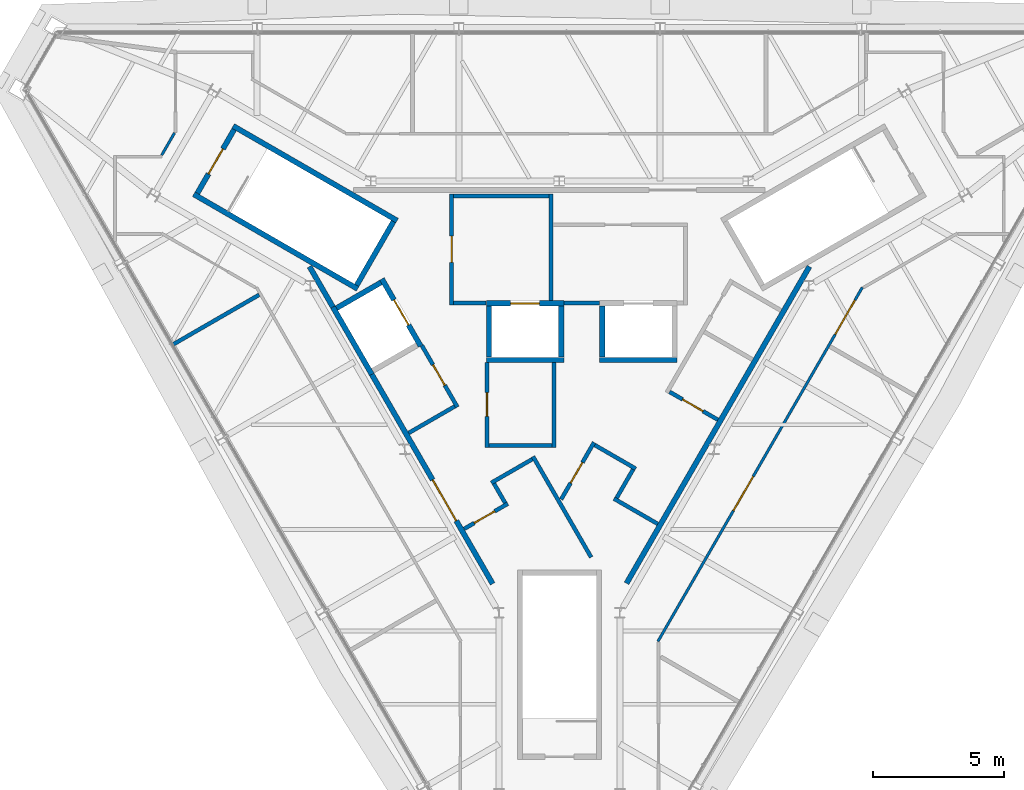
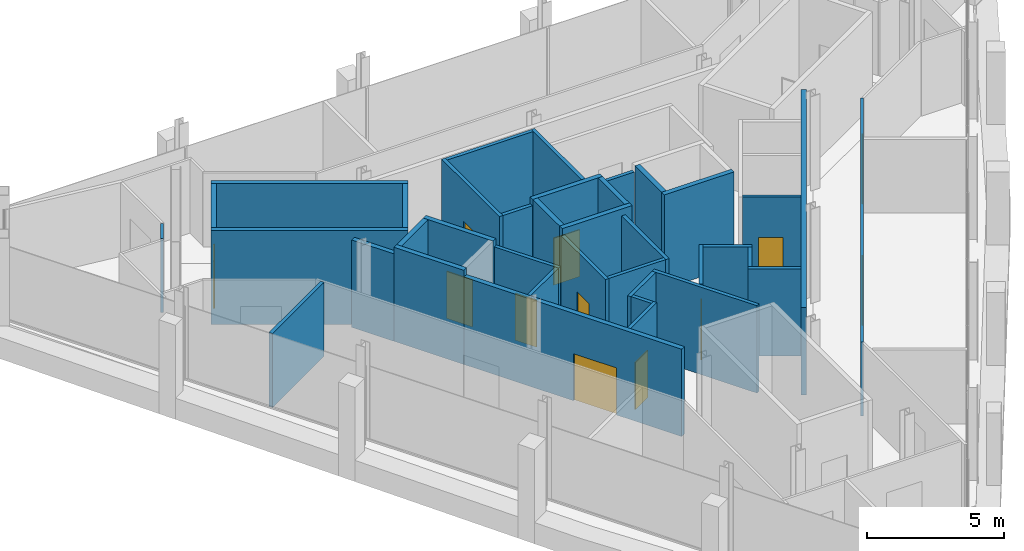
# One storey, part 9 of 11: 38 walls, 12 doors, 12 openings.
"""IFC4 building model written with IfcOpenShell, lengths in metres."""

from ifc_helpers import new_model, si_unit, direction, frame, frame_2d, origin, place, context, subcontext, project, spatial, rectangle, extrude, material, layer, layer_set, type_object, element, fill, save


model = new_model("IFC4")

# Units and contexts
model_context = context("Model", 3, precision=1e-05, world=origin(), true_north=direction((0.0, 1.0)))
body_context = subcontext(model_context, "Body", "Model", "MODEL_VIEW")
ifc_project = project(units=[si_unit("LENGTHUNIT", "METRE"), si_unit("AREAUNIT", "SQUARE_METRE"), si_unit("VOLUMEUNIT", "CUBIC_METRE"), si_unit("PLANEANGLEUNIT", "RADIAN"), si_unit("MASSUNIT", "GRAM", prefix="KILO")], contexts=[model_context])

# Site, building, storey
site_placement = place(None, origin())
site = spatial("IfcSite", under=ifc_project, at=site_placement, CompositionType="ELEMENT")
building_placement = place(site_placement, origin())
building = spatial("IfcBuilding", under=site, at=building_placement, Name="Verrane Prism Tower", CompositionType="ELEMENT")
storey_placement = place(building_placement, frame((0.0, 0.0, 329.39990234375)))
storey = spatial("IfcBuildingStorey", under=building, at=storey_placement, Name="L83", CompositionType="ELEMENT", Elevation=329.39990234375)

# Wall
ifc_material_1 = material(Name="Gypsum board partition", Category="other")
ifc_layer_1 = layer(ifc_material_1, 0.199951171875)
ifc_layer_set_1 = layer_set([ifc_layer_1], Name="CW-200 core boundary wall 2 h")
wall_type_1 = type_object("IfcWallType", Name="CW-200 core boundary wall 2 h", PredefinedType="PARTITIONING", material=ifc_layer_set_1)
wall_1_placement = place(storey_placement, frame((-9.509033203125, 3.550537109375, 0.0), z_axis=(0.0, 0.0, 1.0), x_axis=(0.499999136801, -0.866025902152, 0.0)))
element("IfcWall", 1, at=wall_1_placement, inside=storey, type_object=wall_type_1, Name="Core boundary wall CW3-001", PredefinedType="PARTITIONING", context=body_context, shape_type="SweptSolid", body=[
    extrude(rectangle(XDim=1.7822265625, YDim=0.199951171875, at=frame_2d((0.89111328125, 0.0))), origin(), (0.0, 0.0, 1.0), 3.900146484375),
])

# Wall, opening, door
wall_2_placement = place(storey_placement, frame((-7.14111328125, -0.551025390625, 0.0), z_axis=(0.0, 0.0, 1.0), x_axis=(0.499992795234, -0.866029563418, 0.0)))
wall_2 = element("IfcWall", 2, at=wall_2_placement, inside=storey, type_object=wall_type_1, Name="Core boundary wall CW3-003", PredefinedType="PARTITIONING", context=body_context, shape_type="SweptSolid", body=[
    extrude(rectangle(XDim=9.198486328125, YDim=0.199951171875, at=frame_2d((4.59912109375, 0.0))), origin(), (0.0, 0.0, 1.0), 3.900146484375),
])
opening_1_placement = place(wall_2_placement, frame((4.634033203125, 0.0, 0.0)))
opening_1 = element("IfcOpeningElement", 3, at=opening_1_placement, cuts=wall_2, Name="Opening D83507", PredefinedType="OPENING", context=body_context, shape_type="SweptSolid", body=[
    extrude(rectangle(XDim=1.800048828125, YDim=2.10009765625, at=frame_2d((0.89990234375, 1.050048828125))), frame((0.0, 0.10986328125, 0.0), z_axis=(0.0, -1.0, 0.0), x_axis=(1.0, 0.0, 0.0)), (0.0, 0.0, 1.0), 0.219970703125),
])
ifc_material_2 = material(Name="Timber veneered door leaf", Category="wood")
door_type_1 = type_object("IfcDoorType", Name="DR-1800x2100 FD60 double leaf lift lobby", OperationType="NOTDEFINED", PredefinedType="DOOR", material=ifc_material_2)
door_1_placement = place(opening_1_placement, origin())
door_1 = element("IfcDoor", 4, at=door_1_placement, inside=storey, type_object=door_type_1, Name="Lift lobby door D83507", OperationType="DOUBLE_DOOR_SINGLE_SWING", OverallHeight=2.10009765625, OverallWidth=1.800048828125, PredefinedType="DOOR", context=body_context, shape_type="SweptSolid", body=[
    extrude(rectangle(XDim=1.800048828125, YDim=2.10009765625, at=frame_2d((0.89990234375, 1.050048828125))), frame((0.0, 0.02490234375, 0.0), z_axis=(0.0, -1.0, 0.0), x_axis=(1.0, 0.0, 0.0)), (0.0, 0.0, 1.0), 0.050048828125),
])
fill(opening_1, door_1)

# Wall
wall_3_placement = place(storey_placement, frame((2.552001953125, -8.5, 0.0), z_axis=(0.0, 0.0, 1.0), x_axis=(0.499981156672, 0.866036282712, 0.0)))
element("IfcWall", 5, at=wall_3_placement, inside=storey, type_object=wall_type_1, Name="Core boundary wall CW3-004", PredefinedType="PARTITIONING", context=body_context, shape_type="SweptSolid", body=[
    extrude(rectangle(XDim=13.91455078125, YDim=0.199951171875, at=frame_2d((6.957275390625, 0.0))), origin(), (0.0, 0.0, 1.0), 3.900146484375),
])

# Wall, opening, door
ifc_material_3 = material(Name="Concrete C40/50", Category="concrete")
ifc_layer_2 = layer(ifc_material_3, 0.199951171875)
ifc_layer_set_2 = layer_set([ifc_layer_2], Name="CW-200 stair core wall concrete C40/50 3 h")
wall_type_2 = type_object("IfcWallType", Name="CW-200 stair core wall concrete C40/50 3 h", PredefinedType="PARTITIONING", material=ifc_layer_set_2)
wall_4_placement = place(storey_placement, frame((-12.376953125, 8.762451171875, 0.0), z_axis=(0.0, 0.0, 1.0), x_axis=(-0.500049511043, -0.865996816683, 0.0)))
wall_4 = element("IfcWall", 6, at=wall_4_placement, inside=storey, type_object=wall_type_2, Name="Stair 2 enclosure wall", PredefinedType="PARTITIONING", context=body_context, shape_type="SweptSolid", body=[
    extrude(rectangle(XDim=2.800048828125, YDim=0.199951171875, at=frame_2d((1.39990234375, 0.0))), origin(), (0.0, 0.0, 1.0), 4.2001953125),
])
opening_2_placement = place(wall_4_placement, frame((0.849853515625, 0.0, 0.0)))
opening_2 = element("IfcOpeningElement", 7, at=opening_2_placement, cuts=wall_4, Name="Opening D83501", PredefinedType="OPENING", context=body_context, shape_type="SweptSolid", body=[
    extrude(rectangle(XDim=1.10009765625, YDim=2.10009765625, at=frame_2d((0.550048828125, 1.050048828125))), frame((0.0, 0.10986328125, 0.0), z_axis=(0.0, -1.0, 0.0), x_axis=(1.0, 0.0, 0.0)), (0.0, 0.0, 1.0), 0.219970703125),
])
ifc_material_4 = material(Name="Timber veneered door leaf", Category="wood")
door_type_2 = type_object("IfcDoorType", Name="DR-1100x2100 FD90 single leaf stair", OperationType="NOTDEFINED", PredefinedType="DOOR", material=ifc_material_4)
door_2_placement = place(opening_2_placement, origin())
door_2 = element("IfcDoor", 8, at=door_2_placement, inside=storey, type_object=door_type_2, Name="Stair 2 door", OperationType="SINGLE_SWING_RIGHT", OverallHeight=2.10009765625, OverallWidth=1.10009765625, PredefinedType="DOOR", context=body_context, shape_type="SweptSolid", body=[
    extrude(rectangle(XDim=1.10009765625, YDim=2.10009765625, at=frame_2d((0.550048828125, 1.050048828125))), frame((0.0, 0.02490234375, 0.0), z_axis=(0.0, -1.0, 0.0), x_axis=(1.0, 0.0, 0.0)), (0.0, 0.0, 1.0), 0.050048828125),
])
fill(opening_2, door_2)

# Walls
for number, where, z_axis, x_axis, name in (
    (9, (-7.67822265625, 2.700927734375, 0.0), (0.0, 0.0, 1.0), (-0.866018442252, 0.500012057535, 0.0), "Stair 2 enclosure wall"),
    (10, (-6.17822265625, 5.299072265625, 0.0), (0.0, 0.0, 1.0), (-0.866033125095, 0.499986626058, 0.0), "Stair 2 enclosure wall"),
):
    element("IfcWall", number, at=place(storey_placement, frame(where, z_axis=z_axis, x_axis=x_axis)), inside=storey, type_object=wall_type_2, Name=name, PredefinedType="PARTITIONING", context=body_context, shape_type="SweptSolid", body=[
        extrude(rectangle(XDim=7.199951171875, YDim=0.199951171875, at=frame_2d((3.60009765625, 0.0))), origin(), (0.0, 0.0, 1.0), 4.2001953125),
    ])
wall_5_placement = place(storey_placement, frame((-6.314697265625, 5.262451171875, 0.0), z_axis=(0.0, 0.0, 1.0), x_axis=(-0.500049511043, -0.865996816683, 0.0)))
element("IfcWall", 11, at=wall_5_placement, inside=storey, type_object=wall_type_2, Name="Stair 2 enclosure wall", PredefinedType="PARTITIONING", context=body_context, shape_type="SweptSolid", body=[
    extrude(rectangle(XDim=2.800048828125, YDim=0.199951171875, at=frame_2d((1.39990234375, 0.0))), origin(), (0.0, 0.0, 1.0), 4.2001953125),
])
ifc_material_5 = material(Name="Gypsum board shaft wall assembly", Category="other")
ifc_layer_3 = layer(ifc_material_5, 0.199951171875)
ifc_layer_set_3 = layer_set([ifc_layer_3], Name="HW-200 lift shaft wall 2 h")
wall_type_3 = type_object("IfcWallType", Name="HW-200 lift shaft wall 2 h", PredefinedType="PARTITIONING", material=ifc_layer_set_3)
wall_6_placement = place(storey_placement, frame((-2.784912109375, 0.0, 0.0), z_axis=(0.0, 0.0, 1.0), x_axis=(1.0, 0.0, 0.0)))
element("IfcWall", 12, at=wall_6_placement, inside=storey, type_object=wall_type_3, Name="Lift shaft wall", PredefinedType="PARTITIONING", context=body_context, shape_type="SweptSolid", body=[
    extrude(rectangle(XDim=2.949951171875, YDim=0.199951171875, at=frame_2d((1.47509765625, 0.0))), origin(), (0.0, 0.0, 1.0), 4.2001953125),
])
wall_7_placement = place(storey_placement, frame((1.52490234375, 0.0, 0.0), z_axis=(0.0, 0.0, 1.0), x_axis=(1.0, 0.0, 0.0)))
element("IfcWall", 13, at=wall_7_placement, inside=storey, type_object=wall_type_3, Name="Lift shaft wall", PredefinedType="PARTITIONING", context=body_context, shape_type="SweptSolid", body=[
    extrude(rectangle(XDim=2.9501953125, YDim=0.199951171875, at=frame_2d((1.47509765625, 0.0))), origin(), (0.0, 0.0, 1.0), 4.2001953125),
])

# Wall, opening, door
wall_8_placement = place(storey_placement, frame((-2.784912109375, 2.14990234375, 0.0), z_axis=(0.0, 0.0, 1.0), x_axis=(1.0, 0.0, 0.0)))
wall_8 = element("IfcWall", 14, at=wall_8_placement, inside=storey, type_object=wall_type_3, Name="Lift shaft wall", PredefinedType="PARTITIONING", context=body_context, shape_type="SweptSolid", body=[
    extrude(rectangle(XDim=2.949951171875, YDim=0.199951171875, at=frame_2d((1.47509765625, 0.0))), origin(), (0.0, 0.0, 1.0), 4.2001953125),
])
opening_3_placement = place(wall_8_placement, frame((0.925048828125, 0.0, 0.0)))
opening_3 = element("IfcOpeningElement", 15, at=opening_3_placement, cuts=wall_8, Name="Opening D83503", PredefinedType="OPENING", context=body_context, shape_type="SweptSolid", body=[
    extrude(rectangle(XDim=1.10009765625, YDim=2.10009765625, at=frame_2d((0.550048828125, 1.050048828125))), frame((0.0, 0.10986328125, 0.0), z_axis=(0.0, -1.0, 0.0), x_axis=(1.0, 0.0, 0.0)), (0.0, 0.0, 1.0), 0.219970703125),
])
ifc_material_6 = material(Name="Stainless steel sliding landing door", Category="steel")
door_type_3 = type_object("IfcDoorType", Name="LD-1100x2100 lift landing door FD90 sliding", OperationType="NOTDEFINED", PredefinedType="DOOR", material=ifc_material_6)
door_3_placement = place(opening_3_placement, origin())
door_3 = element("IfcDoor", 16, at=door_3_placement, inside=storey, type_object=door_type_3, Name="Fire service lift 1 landing door", OperationType="SLIDING_TO_LEFT", OverallHeight=2.10009765625, OverallWidth=1.10009765625, PredefinedType="DOOR", context=body_context, shape_type="SweptSolid", body=[
    extrude(rectangle(XDim=1.10009765625, YDim=2.10009765625, at=frame_2d((0.550048828125, 1.050048828125))), frame((0.0, 0.02490234375, 0.0), z_axis=(0.0, -1.0, 0.0), x_axis=(1.0, 0.0, 0.0)), (0.0, 0.0, 1.0), 0.050048828125),
])
fill(opening_3, door_3)

# Walls
for number, where, z_axis, x_axis, name in (
    (17, (-8.48046875, 1.968505859375, 0.0), (0.0, 0.0, 1.0), (0.866000020948, 0.500043961785, 0.0), "Lift shaft wall"),
    (18, (1.625, 0.10009765625, 0.0), (0.0, 0.0, 1.0), (0.0, 1.0, 0.0), "Lift shaft wall"),
    (19, (0.06494140625, 0.10009765625, 0.0), (0.0, 0.0, 1.0), (0.0, 1.0, 0.0), "Lift shaft wall"),
    (20, (-2.68505859375, 0.10009765625, 0.0), (0.0, 0.0, 1.0), (0.0, 1.0, 0.0), "Lift shaft wall"),
):
    element("IfcWall", number, at=place(storey_placement, frame(where, z_axis=z_axis, x_axis=x_axis)), inside=storey, type_object=wall_type_3, Name=name, PredefinedType="PARTITIONING", context=body_context, shape_type="SweptSolid", body=[
        extrude(rectangle(XDim=1.949951171875, YDim=0.199951171875, at=frame_2d((0.97509765625, 0.0))), origin(), (0.0, 0.0, 1.0), 4.2001953125),
    ])

# Wall, opening, door
wall_9_placement = place(storey_placement, frame((-5.280029296875, 0.525390625, 0.0), z_axis=(0.0, 0.0, 1.0), x_axis=(-0.500037662692, 0.866003658127, 0.0)))
wall_9 = element("IfcWall", 21, at=wall_9_placement, inside=storey, type_object=wall_type_3, Name="Lift shaft wall", PredefinedType="PARTITIONING", context=body_context, shape_type="SweptSolid", body=[
    extrude(rectangle(XDim=2.949951171875, YDim=0.199951171875, at=frame_2d((1.47509765625, 0.0))), origin(), (0.0, 0.0, 1.0), 4.2001953125),
])
opening_4_placement = place(wall_9_placement, frame((0.925048828125, 0.0, 0.0)))
opening_4 = element("IfcOpeningElement", 22, at=opening_4_placement, cuts=wall_9, Name="Opening D83505", PredefinedType="OPENING", context=body_context, shape_type="SweptSolid", body=[
    extrude(rectangle(XDim=1.10009765625, YDim=2.10009765625, at=frame_2d((0.550048828125, 1.050048828125))), frame((0.0, 0.10986328125, 0.0), z_axis=(0.0, -1.0, 0.0), x_axis=(1.0, 0.0, 0.0)), (0.0, 0.0, 1.0), 0.219970703125),
])
door_4_placement = place(opening_4_placement, origin())
door_4 = element("IfcDoor", 23, at=door_4_placement, inside=storey, type_object=door_type_3, Name="Service lift 1 landing door", OperationType="SLIDING_TO_LEFT", OverallHeight=2.10009765625, OverallWidth=1.10009765625, PredefinedType="DOOR", context=body_context, shape_type="SweptSolid", body=[
    extrude(rectangle(XDim=1.10009765625, YDim=2.10009765625, at=frame_2d((0.550048828125, 1.050048828125))), frame((0.0, 0.02490234375, 0.0), z_axis=(0.0, -1.0, 0.0), x_axis=(1.0, 0.0, 0.0)), (0.0, 0.0, 1.0), 0.050048828125),
])
fill(opening_4, door_4)

# Wall
wall_10_placement = place(storey_placement, frame((-7.14208984375, -0.549560546875, 0.0), z_axis=(0.0, 0.0, 1.0), x_axis=(-0.49997559174, 0.866039495442, 0.0)))
element("IfcWall", 24, at=wall_10_placement, inside=storey, type_object=wall_type_3, Name="Lift shaft wall", PredefinedType="PARTITIONING", context=body_context, shape_type="SweptSolid", body=[
    extrude(rectangle(XDim=2.949951171875, YDim=0.199951171875, at=frame_2d((1.47509765625, 0.0))), origin(), (0.0, 0.0, 1.0), 4.2001953125),
])

# Wall, opening, door
ifc_material_7 = material(Name="Gypsum board partition", Category="other")
ifc_layer_4 = layer(ifc_material_7, 0.14990234375)
ifc_layer_set_4 = layer_set([ifc_layer_4], Name="LF-150 firefighting lobby wall 1 h")
wall_type_4 = type_object("IfcWallType", Name="LF-150 firefighting lobby wall 1 h", PredefinedType="PARTITIONING", material=ifc_layer_set_4)
wall_11_placement = place(storey_placement, frame((-4.10009765625, 2.0849609375, 0.0), z_axis=(0.0, 0.0, 1.0), x_axis=(0.0, 1.0, 0.0)))
wall_11 = element("IfcWall", 25, at=wall_11_placement, inside=storey, type_object=wall_type_4, Name="Firefighting lobby wall LF1-001", PredefinedType="PARTITIONING", context=body_context, shape_type="SweptSolid", body=[
    extrude(rectangle(XDim=4.22998046875, YDim=0.14990234375, at=frame_2d((2.114990234375, 0.0))), origin(), (0.0, 0.0, 1.0), 3.900146484375),
])
opening_5_placement = place(wall_11_placement, frame((1.625, 0.0, 0.0)))
opening_5 = element("IfcOpeningElement", 26, at=opening_5_placement, cuts=wall_11, Name="Opening D83509", PredefinedType="OPENING", context=body_context, shape_type="SweptSolid", body=[
    extrude(rectangle(XDim=1.0, YDim=2.10009765625, at=frame_2d((0.5, 1.050048828125))), frame((0.0, 0.0849609375, 0.0), z_axis=(0.0, -1.0, 0.0), x_axis=(1.0, 0.0, 0.0)), (0.0, 0.0, 1.0), 0.169921875),
])
ifc_material_8 = material(Name="Timber veneered door leaf", Category="wood")
door_type_4 = type_object("IfcDoorType", Name="DR-1000x2100 FD60 single leaf firefighting lobby", OperationType="NOTDEFINED", PredefinedType="DOOR", material=ifc_material_8)
door_5_placement = place(opening_5_placement, origin())
door_5 = element("IfcDoor", 27, at=door_5_placement, inside=storey, type_object=door_type_4, Name="Firefighting lobby door D83509", OperationType="SINGLE_SWING_LEFT", OverallHeight=2.10009765625, OverallWidth=1.0, PredefinedType="DOOR", context=body_context, shape_type="SweptSolid", body=[
    extrude(rectangle(XDim=1.0, YDim=2.10009765625, at=frame_2d((0.5, 1.050048828125))), frame((0.0, 0.02490234375, 0.0), z_axis=(0.0, -1.0, 0.0), x_axis=(1.0, 0.0, 0.0)), (0.0, 0.0, 1.0), 0.050048828125),
])
fill(opening_5, door_5)

# Walls
wall_12_placement = place(storey_placement, frame((-4.02490234375, 2.159912109375, 0.0), z_axis=(0.0, 0.0, 1.0), x_axis=(1.0, 0.0, 0.0)))
element("IfcWall", 28, at=wall_12_placement, inside=storey, type_object=wall_type_4, Name="Firefighting lobby wall LF1-002", PredefinedType="PARTITIONING", context=body_context, shape_type="SweptSolid", body=[
    extrude(rectangle(XDim=1.23779296875, YDim=0.14990234375, at=frame_2d((0.618896484375, 0.0))), origin(), (0.0, 0.0, 1.0), 3.900146484375),
])
wall_13_placement = place(storey_placement, frame((-4.02490234375, 6.239990234375, 0.0), z_axis=(0.0, 0.0, 1.0), x_axis=(1.0, 0.0, 0.0)))
element("IfcWall", 29, at=wall_13_placement, inside=storey, type_object=wall_type_4, Name="Firefighting lobby wall LF1-003", PredefinedType="PARTITIONING", context=body_context, shape_type="SweptSolid", body=[
    extrude(rectangle(XDim=3.6298828125, YDim=0.14990234375, at=frame_2d((1.81494140625, 0.0))), origin(), (0.0, 0.0, 1.0), 3.900146484375),
])
wall_14_placement = place(storey_placement, frame((-0.320068359375, 2.251953125, 0.0), z_axis=(0.0, 0.0, 1.0), x_axis=(0.0, 1.0, 0.0)))
element("IfcWall", 30, at=wall_14_placement, inside=storey, type_object=wall_type_4, Name="Firefighting lobby wall LF1-004", PredefinedType="PARTITIONING", context=body_context, shape_type="SweptSolid", body=[
    extrude(rectangle(XDim=4.06298828125, YDim=0.14990234375, at=frame_2d((2.031494140625, 0.0))), origin(), (0.0, 0.0, 1.0), 3.900146484375),
])
wall_15_placement = place(storey_placement, frame((0.1669921875, 2.159912109375, 0.0), z_axis=(0.0, 0.0, 1.0), x_axis=(1.0, 0.0, 0.0)))
element("IfcWall", 31, at=wall_15_placement, inside=storey, type_object=wall_type_4, Name="Firefighting lobby wall LF1-006", PredefinedType="PARTITIONING", context=body_context, shape_type="SweptSolid", body=[
    extrude(rectangle(XDim=1.35595703125, YDim=0.14990234375, at=frame_2d((0.677978515625, 0.0))), origin(), (0.0, 0.0, 1.0), 3.900146484375),
])
ifc_material_9 = material(Name="Gypsum board partition", Category="other")
ifc_layer_5 = layer(ifc_material_9, 0.10009765625)
ifc_layer_set_5 = layer_set([ifc_layer_5], Name="PW-100 crown corridor wall 1 h")
wall_type_5 = type_object("IfcWallType", Name="PW-100 crown corridor wall 1 h", PredefinedType="PARTITIONING", material=ifc_layer_set_5)
wall_16_placement = place(storey_placement, frame((-15.132080078125, 7.78955078125, 0.0), z_axis=(0.0, 0.0, 1.0), x_axis=(0.499823463829, 0.866127303003, 0.0)))
element("IfcWall", 32, at=wall_16_placement, inside=storey, type_object=wall_type_5, Name="Corridor wall 005", PredefinedType="PARTITIONING", context=body_context, shape_type="SweptSolid", body=[
    extrude(rectangle(XDim=0.976318359375, YDim=0.10009765625, at=frame_2d((0.48828125, 0.0))), origin(), (0.0, 0.0, 1.0), 3.297119140625),
])

# Wall, openings, doors
wall_17_placement = place(storey_placement, frame((11.52099609375, 2.75439453125, 0.0), z_axis=(0.0, 0.0, 1.0), x_axis=(-0.500044034969, -0.86599997869, 0.0)))
wall_17 = element("IfcWall", 33, at=wall_17_placement, inside=storey, type_object=wall_type_5, Name="Corridor wall 021", PredefinedType="PARTITIONING", context=body_context, shape_type="SweptSolid", body=[
    extrude(rectangle(XDim=15.552734375, YDim=0.10009765625, at=frame_2d((7.7763671875, 0.0))), origin(), (0.0, 0.0, 1.0), 3.297119140625),
])
opening_6_placement = place(wall_17_placement, frame((8.302734375, 0.0, 0.0)))
opening_6 = element("IfcOpeningElement", 34, at=opening_6_placement, cuts=wall_17, Name="Opening D83008", PredefinedType="OPENING", context=body_context, shape_type="SweptSolid", body=[
    extrude(rectangle(XDim=1.5, YDim=2.10009765625, at=frame_2d((0.75, 1.050048828125))), frame((0.0, 0.06005859375, 0.0), z_axis=(0.0, -1.0, 0.0), x_axis=(1.0, 0.0, 0.0)), (0.0, 0.0, 1.0), 0.1201171875),
])
opening_7_placement = place(wall_17_placement, frame((0.560546875, 0.0, 0.0)))
opening_7 = element("IfcOpeningElement", 35, at=opening_7_placement, cuts=wall_17, Name="Opening D83009", PredefinedType="OPENING", context=body_context, shape_type="SweptSolid", body=[
    extrude(rectangle(XDim=1.5, YDim=2.10009765625, at=frame_2d((0.75, 1.050048828125))), frame((0.0, 0.06005859375, 0.0), z_axis=(0.0, -1.0, 0.0), x_axis=(1.0, 0.0, 0.0)), (0.0, 0.0, 1.0), 0.1201171875),
])
ifc_material_10 = material(Name="Timber veneered door leaf", Category="wood")
door_type_5 = type_object("IfcDoorType", Name="DR-1500x2100 FD60 double leaf unit", OperationType="NOTDEFINED", PredefinedType="DOOR", material=ifc_material_10)
door_6_placement = place(opening_6_placement, origin())
door_6 = element("IfcDoor", 36, at=door_6_placement, inside=storey, type_object=door_type_5, Name="Mechanical Plant Room door", OperationType="DOUBLE_DOOR_SINGLE_SWING", OverallHeight=2.10009765625, OverallWidth=1.5, PredefinedType="DOOR", context=body_context, shape_type="SweptSolid", body=[
    extrude(rectangle(XDim=1.5, YDim=2.10009765625, at=frame_2d((0.75, 1.050048828125))), frame((0.0, 0.02490234375, 0.0), z_axis=(0.0, -1.0, 0.0), x_axis=(1.0, 0.0, 0.0)), (0.0, 0.0, 1.0), 0.050048828125),
])
fill(opening_6, door_6)
door_7_placement = place(opening_7_placement, origin())
door_7 = element("IfcDoor", 37, at=door_7_placement, inside=storey, type_object=door_type_5, Name="Mechanical Plant Room door", OperationType="DOUBLE_DOOR_SINGLE_SWING", OverallHeight=2.10009765625, OverallWidth=1.5, PredefinedType="DOOR", context=body_context, shape_type="SweptSolid", body=[
    extrude(rectangle(XDim=1.5, YDim=2.10009765625, at=frame_2d((0.75, 1.050048828125))), frame((0.0, 0.02490234375, 0.0), z_axis=(0.0, -1.0, 0.0), x_axis=(1.0, 0.0, 0.0)), (0.0, 0.0, 1.0), 0.050048828125),
])
fill(opening_7, door_7)

# Walls
ifc_material_11 = material(Name="Gypsum board partition", Category="other")
ifc_layer_6 = layer(ifc_material_11, 0.14990234375)
ifc_layer_set_6 = layer_set([ifc_layer_6], Name="PW-150 demising wall 1 h")
wall_type_6 = type_object("IfcWallType", Name="PW-150 demising wall 1 h", PredefinedType="PARTITIONING", material=ifc_layer_set_6)
wall_18_placement = place(storey_placement, frame((-14.69580078125, 0.588134765625, 0.0), z_axis=(0.0, 0.0, 1.0), x_axis=(0.866115649152, 0.499843657852, 0.0)))
element("IfcWall", 38, at=wall_18_placement, inside=storey, type_object=wall_type_6, Name="Demising wall 009", PredefinedType="PARTITIONING", context=body_context, shape_type="SweptSolid", body=[
    extrude(rectangle(XDim=3.778076171875, YDim=0.14990234375, at=frame_2d((1.88916015625, 0.0))), origin(), (0.0, 0.0, 1.0), 3.297119140625),
])
ifc_material_12 = material(Name="Gypsum board partition", Category="other")
ifc_layer_7 = layer(ifc_material_12, 0.14990234375)
ifc_layer_set_7 = layer_set([ifc_layer_7], Name="RS-150 riser enclosure wall 1 h")
wall_type_7 = type_object("IfcWallType", Name="RS-150 riser enclosure wall 1 h", PredefinedType="PARTITIONING", material=ifc_layer_set_7)
wall_19_placement = place(storey_placement, frame((-5.7373046875, -2.781982421875, 0.0), z_axis=(0.0, 0.0, 1.0), x_axis=(0.866000843773, 0.500042536776, 0.0)))
element("IfcWall", 39, at=wall_19_placement, inside=storey, type_object=wall_type_7, Name="Riser wall RS3-001", PredefinedType="PARTITIONING", context=body_context, shape_type="SweptSolid", body=[
    extrude(rectangle(XDim=2.024658203125, YDim=0.14990234375, at=frame_2d((1.01220703125, 0.0))), origin(), (0.0, 0.0, 1.0), 3.900146484375),
])

# Wall, opening, door
wall_20_placement = place(storey_placement, frame((-3.881591796875, -1.796875, 0.0), z_axis=(0.0, 0.0, 1.0), x_axis=(-0.500016307898, 0.86601598821, 0.0)))
wall_20 = element("IfcWall", 40, at=wall_20_placement, inside=storey, type_object=wall_type_7, Name="Riser wall RS3-002", PredefinedType="PARTITIONING", context=body_context, shape_type="SweptSolid", body=[
    extrude(rectangle(XDim=2.708984375, YDim=0.14990234375, at=frame_2d((1.3544921875, 0.0))), origin(), (0.0, 0.0, 1.0), 3.900146484375),
])
opening_8_placement = place(wall_20_placement, frame((0.958984375, 0.0, 0.0)))
opening_8 = element("IfcOpeningElement", 41, at=opening_8_placement, cuts=wall_20, Name="Opening D83508", PredefinedType="OPENING", context=body_context, shape_type="SweptSolid", body=[
    extrude(rectangle(XDim=0.89990234375, YDim=2.10009765625, at=frame_2d((0.449951171875, 1.050048828125))), frame((0.0, 0.0849609375, 0.0), z_axis=(0.0, -1.0, 0.0), x_axis=(1.0, 0.0, 0.0)), (0.0, 0.0, 1.0), 0.169921875),
])
ifc_material_13 = material(Name="Timber veneered door leaf", Category="wood")
door_type_6 = type_object("IfcDoorType", Name="DR-900x2100 FD60 single leaf riser", OperationType="NOTDEFINED", PredefinedType="DOOR", material=ifc_material_13)
door_8_placement = place(opening_8_placement, origin())
door_8 = element("IfcDoor", 42, at=door_8_placement, inside=storey, type_object=door_type_6, Name="Riser door D83508", OperationType="SINGLE_SWING_LEFT", OverallHeight=2.10009765625, OverallWidth=0.89990234375, PredefinedType="DOOR", context=body_context, shape_type="SweptSolid", body=[
    extrude(rectangle(XDim=0.89990234375, YDim=2.10009765625, at=frame_2d((0.449951171875, 1.050048828125))), frame((0.0, 0.02490234375, 0.0), z_axis=(0.0, -1.0, 0.0), x_axis=(1.0, 0.0, 0.0)), (0.0, 0.0, 1.0), 0.050048828125),
])
fill(opening_8, door_8)

wall_21_placement = place(storey_placement, frame((-1.963134765625, -5.469482421875, 0.0), z_axis=(0.0, 0.0, 1.0), x_axis=(-0.866043720474, -0.49996827322, 0.0)))
wall_21 = element("IfcWall", 43, at=wall_21_placement, inside=storey, type_object=wall_type_7, Name="Riser wall RS3-003", PredefinedType="PARTITIONING", context=body_context, shape_type="SweptSolid", body=[
    extrude(rectangle(XDim=1.919921875, YDim=0.14990234375, at=frame_2d((0.9599609375, 0.0))), origin(), (0.0, 0.0, 1.0), 3.900146484375),
])
opening_9_placement = place(wall_21_placement, frame((0.5751953125, 0.0, 0.0)))
opening_9 = element("IfcOpeningElement", 44, at=opening_9_placement, cuts=wall_21, Name="Opening D83510", PredefinedType="OPENING", context=body_context, shape_type="SweptSolid", body=[
    extrude(rectangle(XDim=0.89990234375, YDim=2.10009765625, at=frame_2d((0.449951171875, 1.050048828125))), frame((0.0, 0.0849609375, 0.0), z_axis=(0.0, -1.0, 0.0), x_axis=(1.0, 0.0, 0.0)), (0.0, 0.0, 1.0), 0.169921875),
])
ifc_material_14 = material(Name="Timber veneered door leaf", Category="wood")
door_type_7 = type_object("IfcDoorType", Name="DR-900x2100 FD20 single leaf store", OperationType="NOTDEFINED", PredefinedType="DOOR", material=ifc_material_14)
door_9_placement = place(opening_9_placement, origin())
door_9 = element("IfcDoor", 45, at=door_9_placement, inside=storey, type_object=door_type_7, Name="Room door D83510", OperationType="SINGLE_SWING_RIGHT", OverallHeight=2.10009765625, OverallWidth=0.89990234375, PredefinedType="DOOR", context=body_context, shape_type="SweptSolid", body=[
    extrude(rectangle(XDim=0.89990234375, YDim=2.10009765625, at=frame_2d((0.449951171875, 1.050048828125))), frame((0.0, 0.02490234375, 0.0), z_axis=(0.0, -1.0, 0.0), x_axis=(1.0, 0.0, 0.0)), (0.0, 0.0, 1.0), 0.050048828125),
])
fill(opening_9, door_9)

wall_22_placement = place(storey_placement, frame((-2.7548828125, -0.10205078125, 0.0), z_axis=(0.0, 0.0, 1.0), x_axis=(0.0, -1.0, 0.0)))
wall_22 = element("IfcWall", 46, at=wall_22_placement, inside=storey, type_object=wall_type_7, Name="Riser wall RS3-004", PredefinedType="PARTITIONING", context=body_context, shape_type="SweptSolid", body=[
    extrude(rectangle(XDim=3.222900390625, YDim=0.14990234375, at=frame_2d((1.611328125, 0.0))), origin(), (0.0, 0.0, 1.0), 3.900146484375),
])
opening_10_placement = place(wall_22_placement, frame((1.14794921875, 0.0, 0.0)))
opening_10 = element("IfcOpeningElement", 47, at=opening_10_placement, cuts=wall_22, Name="Opening D83511", PredefinedType="OPENING", context=body_context, shape_type="SweptSolid", body=[
    extrude(rectangle(XDim=0.89990234375, YDim=2.10009765625, at=frame_2d((0.449951171875, 1.050048828125))), frame((0.0, 0.0849609375, 0.0), z_axis=(0.0, -1.0, 0.0), x_axis=(1.0, 0.0, 0.0)), (0.0, 0.0, 1.0), 0.169921875),
])
door_10_placement = place(opening_10_placement, origin())
door_10 = element("IfcDoor", 48, at=door_10_placement, inside=storey, type_object=door_type_7, Name="Room door D83511", OperationType="SINGLE_SWING_LEFT", OverallHeight=2.10009765625, OverallWidth=0.89990234375, PredefinedType="DOOR", context=body_context, shape_type="SweptSolid", body=[
    extrude(rectangle(XDim=0.89990234375, YDim=2.10009765625, at=frame_2d((0.449951171875, 1.050048828125))), frame((0.0, 0.02490234375, 0.0), z_axis=(0.0, -1.0, 0.0), x_axis=(1.0, 0.0, 0.0)), (0.0, 0.0, 1.0), 0.050048828125),
])
fill(opening_10, door_10)

# Walls
wall_23_placement = place(storey_placement, frame((-2.679931640625, -3.25, 0.0), z_axis=(0.0, 0.0, 1.0), x_axis=(1.0, 0.0, 0.0)))
element("IfcWall", 49, at=wall_23_placement, inside=storey, type_object=wall_type_7, Name="Riser wall RS3-005", PredefinedType="PARTITIONING", context=body_context, shape_type="SweptSolid", body=[
    extrude(rectangle(XDim=2.39990234375, YDim=0.14990234375, at=frame_2d((1.199951171875, 0.0))), origin(), (0.0, 0.0, 1.0), 3.900146484375),
])
wall_24_placement = place(storey_placement, frame((-2.490478515625, -4.7060546875, 0.0), z_axis=(0.0, 0.0, 1.0), x_axis=(0.500062241894, -0.865989465428, 0.0)))
element("IfcWall", 50, at=wall_24_placement, inside=storey, type_object=wall_type_7, Name="Riser wall RS3-006", PredefinedType="PARTITIONING", context=body_context, shape_type="SweptSolid", body=[
    extrude(rectangle(XDim=0.85009765625, YDim=0.14990234375, at=frame_2d((0.425048828125, 0.0))), origin(), (0.0, 0.0, 1.0), 3.900146484375),
])
wall_25_placement = place(storey_placement, frame((-2.593017578125, -4.678466796875, 0.0), z_axis=(0.0, 0.0, 1.0), x_axis=(0.866081705922, 0.499902469156, 0.0)))
element("IfcWall", 51, at=wall_25_placement, inside=storey, type_object=wall_type_7, Name="Riser wall RS3-007", PredefinedType="PARTITIONING", context=body_context, shape_type="SweptSolid", body=[
    extrude(rectangle(XDim=1.800048828125, YDim=0.14990234375, at=frame_2d((0.89990234375, 0.0))), origin(), (0.0, 0.0, 1.0), 3.900146484375),
])
wall_26_placement = place(storey_placement, frame((-1.006591796875, -3.676025390625, 0.0), z_axis=(0.0, 0.0, 1.0), x_axis=(0.500037662692, -0.866003658127, 0.0)))
element("IfcWall", 52, at=wall_26_placement, inside=storey, type_object=wall_type_7, Name="Riser wall RS3-008", PredefinedType="PARTITIONING", context=body_context, shape_type="SweptSolid", body=[
    extrude(rectangle(XDim=4.425048828125, YDim=0.14990234375, at=frame_2d((2.21240234375, 0.0))), origin(), (0.0, 0.0, 1.0), 3.900146484375),
])
wall_27_placement = place(storey_placement, frame((-0.205078125, -3.324951171875, 0.0), z_axis=(0.0, 0.0, 1.0), x_axis=(0.0, 1.0, 0.0)))
element("IfcWall", 53, at=wall_27_placement, inside=storey, type_object=wall_type_7, Name="Riser wall RS3-009", PredefinedType="PARTITIONING", context=body_context, shape_type="SweptSolid", body=[
    extrude(rectangle(XDim=3.222900390625, YDim=0.14990234375, at=frame_2d((1.611328125, 0.0))), origin(), (0.0, 0.0, 1.0), 3.900146484375),
])

# Wall, opening, door
wall_28_placement = place(storey_placement, frame((1.31640625, -3.13916015625, 0.0), z_axis=(0.0, 0.0, 1.0), x_axis=(-0.500063042646, -0.865989003036, 0.0)))
wall_28 = element("IfcWall", 54, at=wall_28_placement, inside=storey, type_object=wall_type_7, Name="Riser wall RS3-010", PredefinedType="PARTITIONING", context=body_context, shape_type="SweptSolid", body=[
    extrude(rectangle(XDim=2.502685546875, YDim=0.14990234375, at=frame_2d((1.25146484375, 0.0))), origin(), (0.0, 0.0, 1.0), 3.900146484375),
])
opening_11_placement = place(wall_28_placement, frame((0.8828125, 0.0, 0.0)))
opening_11 = element("IfcOpeningElement", 55, at=opening_11_placement, cuts=wall_28, Name="Opening D83513", PredefinedType="OPENING", context=body_context, shape_type="SweptSolid", body=[
    extrude(rectangle(XDim=0.89990234375, YDim=2.10009765625, at=frame_2d((0.449951171875, 1.050048828125))), frame((0.0, 0.0849609375, 0.0), z_axis=(0.0, -1.0, 0.0), x_axis=(1.0, 0.0, 0.0)), (0.0, 0.0, 1.0), 0.169921875),
])
door_11_placement = place(opening_11_placement, origin())
door_11 = element("IfcDoor", 56, at=door_11_placement, inside=storey, type_object=door_type_7, Name="Room door D83513", OperationType="SINGLE_SWING_RIGHT", OverallHeight=2.10009765625, OverallWidth=0.89990234375, PredefinedType="DOOR", context=body_context, shape_type="SweptSolid", body=[
    extrude(rectangle(XDim=0.89990234375, YDim=2.10009765625, at=frame_2d((0.449951171875, 1.050048828125))), frame((0.0, 0.02490234375, 0.0), z_axis=(0.0, -1.0, 0.0), x_axis=(1.0, 0.0, 0.0)), (0.0, 0.0, 1.0), 0.050048828125),
])
fill(opening_11, door_11)

# Walls
wall_29_placement = place(storey_placement, frame((1.343994140625, -3.241455078125, 0.0), z_axis=(0.0, 0.0, 1.0), x_axis=(0.865989075817, -0.500062916607, 0.0)))
element("IfcWall", 57, at=wall_29_placement, inside=storey, type_object=wall_type_7, Name="Riser wall RS3-011", PredefinedType="PARTITIONING", context=body_context, shape_type="SweptSolid", body=[
    extrude(rectangle(XDim=1.800048828125, YDim=0.14990234375, at=frame_2d((0.89990234375, 0.0))), origin(), (0.0, 0.0, 1.0), 3.900146484375),
])
wall_30_placement = place(storey_placement, frame((2.175537109375, -5.2509765625, 0.0), z_axis=(0.0, 0.0, 1.0), x_axis=(0.500173430036, 0.86592525075, 0.0)))
element("IfcWall", 58, at=wall_30_placement, inside=storey, type_object=wall_type_7, Name="Riser wall RS3-012", PredefinedType="PARTITIONING", context=body_context, shape_type="SweptSolid", body=[
    extrude(rectangle(XDim=1.24951171875, YDim=0.14990234375, at=frame_2d((0.624755859375, 0.0))), origin(), (0.0, 0.0, 1.0), 3.900146484375),
])
wall_31_placement = place(storey_placement, frame((2.072998046875, -5.278564453125, 0.0), z_axis=(0.0, 0.0, 1.0), x_axis=(0.86609690551, -0.499876134923, 0.0)))
element("IfcWall", 59, at=wall_31_placement, inside=storey, type_object=wall_type_7, Name="Riser wall RS3-013", PredefinedType="PARTITIONING", context=body_context, shape_type="SweptSolid", body=[
    extrude(rectangle(XDim=1.92529296875, YDim=0.14990234375, at=frame_2d((0.962646484375, 0.0))), origin(), (0.0, 0.0, 1.0), 3.900146484375),
])

# Wall, opening, door
wall_32_placement = place(storey_placement, frame((4.18798828125, -1.216552734375, 0.0), z_axis=(0.0, 0.0, 1.0), x_axis=(0.865913749133, -0.500193341681, 0.0)))
wall_32 = element("IfcWall", 60, at=wall_32_placement, inside=storey, type_object=wall_type_7, Name="Riser wall RS3-014", PredefinedType="PARTITIONING", context=body_context, shape_type="SweptSolid", body=[
    extrude(rectangle(XDim=2.124267578125, YDim=0.14990234375, at=frame_2d((1.06201171875, 0.0))), origin(), (0.0, 0.0, 1.0), 3.900146484375),
])
opening_12_placement = place(wall_32_placement, frame((0.574951171875, 0.0, 0.0)))
opening_12 = element("IfcOpeningElement", 61, at=opening_12_placement, cuts=wall_32, Name="Opening D83514", PredefinedType="OPENING", context=body_context, shape_type="SweptSolid", body=[
    extrude(rectangle(XDim=0.89990234375, YDim=2.10009765625, at=frame_2d((0.449951171875, 1.050048828125))), frame((0.0, 0.0849609375, 0.0), z_axis=(0.0, -1.0, 0.0), x_axis=(1.0, 0.0, 0.0)), (0.0, 0.0, 1.0), 0.169921875),
])
door_12_placement = place(opening_12_placement, origin())
door_12 = element("IfcDoor", 62, at=door_12_placement, inside=storey, type_object=door_type_6, Name="Riser door D83514", OperationType="SINGLE_SWING_RIGHT", OverallHeight=2.10009765625, OverallWidth=0.89990234375, PredefinedType="DOOR", context=body_context, shape_type="SweptSolid", body=[
    extrude(rectangle(XDim=0.89990234375, YDim=2.10009765625, at=frame_2d((0.449951171875, 1.050048828125))), frame((0.0, 0.02490234375, 0.0), z_axis=(0.0, -1.0, 0.0), x_axis=(1.0, 0.0, 0.0)), (0.0, 0.0, 1.0), 0.050048828125),
])
fill(opening_12, door_12)

save(model, "model.ifc")
